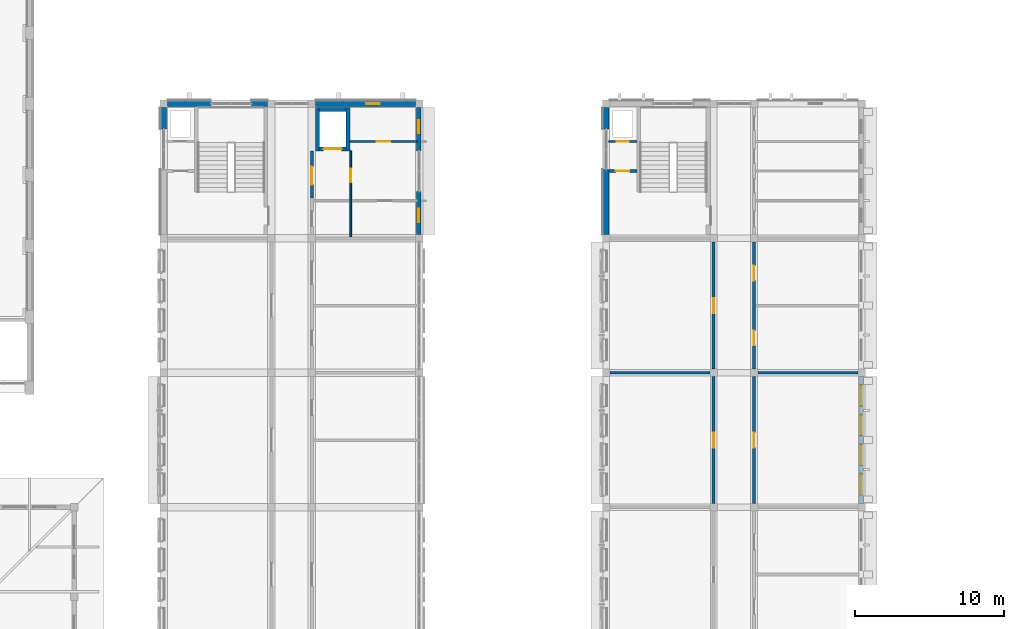
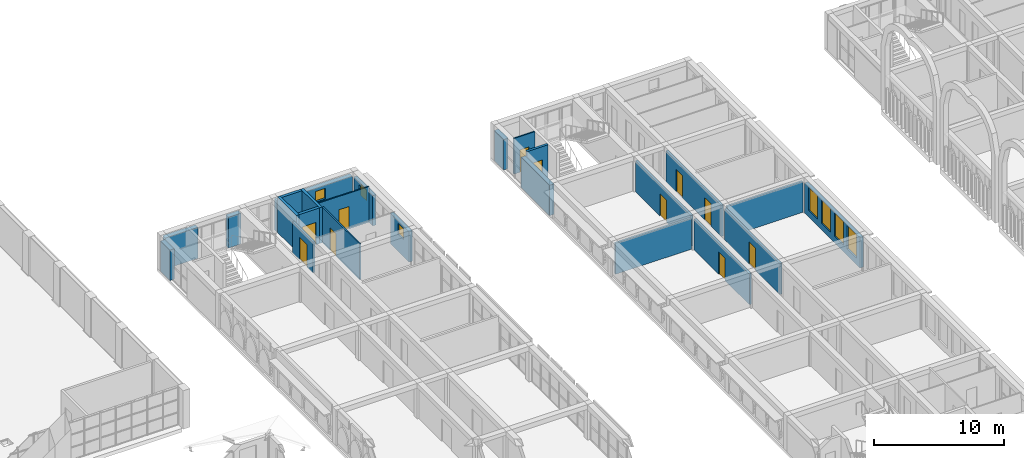
# One storey, part 50 of 82: 24 walls, 11 doors, 7 windows, 18 openings.
"""IFC4 building model written with IfcOpenShell, lengths in metres."""

from ifc_helpers import new_model, si_unit, direction, frame, frame_2d, origin, place, context, subcontext, project, spatial, rectangle, extrude, material, layer, layer_set, type_object, element, fill, save


model = new_model("IFC4")

# Units and contexts
model_context = context("Model", 3, precision=1e-05, world=origin(), true_north=direction((0.0, 1.0)))
body_context = subcontext(model_context, "Body", "Model", "MODEL_VIEW")
ifc_project = project(units=[si_unit("LENGTHUNIT", "METRE"), si_unit("AREAUNIT", "SQUARE_METRE"), si_unit("VOLUMEUNIT", "CUBIC_METRE"), si_unit("PLANEANGLEUNIT", "RADIAN"), si_unit("MASSUNIT", "GRAM", prefix="KILO")], contexts=[model_context])

# Site, building, storey
site_placement = place(None, origin())
site = spatial("IfcSite", under=ifc_project, at=site_placement, CompositionType="ELEMENT")
building_placement = place(site_placement, origin())
building = spatial("IfcBuilding", under=site, at=building_placement, Name="Elbe Cascade School", CompositionType="ELEMENT")
storey_placement = place(building_placement, frame((0.0, 0.0, 4.5)))
storey = spatial("IfcBuildingStorey", under=building, at=storey_placement, Name="L01", CompositionType="ELEMENT", Elevation=4.5)

# Walls
ifc_material_1 = material(Name="Masonry - lime-sand block, plastered", Category="masonry")
ifc_layer_1 = layer(ifc_material_1, 0.175048828125)
ifc_layer_set_1 = layer_set([ifc_layer_1], Name="Masonry - lime-sand block, plastered")
wall_type_1 = type_object("IfcWallType", Name="Bar classroom partition wall lime-sand block 175", PredefinedType="PARTITIONING", material=ifc_layer_set_1)
for number, where, z_axis, x_axis, name in (
    (1, (98.85009765625, 42.0, 0.0), (0.0, 0.0, 1.0), (1.0, 0.0, 0.0), "Bar classroom partition wall lime-sand block 175"),
    (2, (108.75, 42.0, 0.0), (0.0, 0.0, 1.0), (1.0, 0.0, 0.0), "Bar classroom partition wall lime-sand block 175"),
):
    element("IfcWall", number, at=place(storey_placement, frame(where, z_axis=z_axis, x_axis=x_axis)), inside=storey, type_object=wall_type_1, Name=name, PredefinedType="PARTITIONING", context=body_context, shape_type="SweptSolid", body=[
        extrude(rectangle(XDim=6.699951171875, YDim=0.175048828125, at=frame_2d((3.35009765625, 0.0))), origin(), (0.0, 0.0, 1.0), 2.89990234375),
    ])

# Wall, opening, door
ifc_material_2 = material(Name="Masonry - lime-sand block, plastered", Category="masonry")
ifc_layer_2 = layer(ifc_material_2, 0.199951171875)
ifc_layer_set_2 = layer_set([ifc_layer_2], Name="Masonry - lime-sand block, plastered")
wall_type_2 = type_object("IfcWallType", Name="Bar corridor wall lime-sand block 200 EI 30", PredefinedType="PARTITIONING", material=ifc_layer_set_2)
wall_1_placement = place(storey_placement, frame((78.89990234375, 56.85009765625, 0.0), z_axis=(0.0, 0.0, 1.0), x_axis=(0.0, -1.0, 0.0)))
wall_1 = element("IfcWall", 3, at=wall_1_placement, inside=storey, type_object=wall_type_2, Name="Bar corridor wall lime-sand block 200 EI 30", PredefinedType="PARTITIONING", context=body_context, shape_type="SweptSolid", body=[
    extrude(rectangle(XDim=3.150146484375, YDim=0.199951171875, at=frame_2d((1.5751953125, 0.0))), origin(), (0.0, 0.0, 1.0), 2.89990234375),
])
opening_1_placement = place(wall_1_placement, frame((1.050048828125, 0.0, 0.0)))
opening_1 = element("IfcOpeningElement", 4, at=opening_1_placement, cuts=wall_1, Name="Opening D1.023", PredefinedType="OPENING", context=body_context, shape_type="SweptSolid", body=[
    extrude(rectangle(XDim=1.199951171875, YDim=2.10009765625, at=frame_2d((0.60009765625, 1.050048828125))), frame((0.0, 0.10986328125, 0.0), z_axis=(0.0, -1.0, 0.0), x_axis=(1.0, 0.0, 0.0)), (0.0, 0.0, 1.0), 0.219970703125),
])
ifc_material_3 = material(Name="Timber door leaf, fire-resisting and smoke-tight, steel frame", Category="steel")
door_type_1 = type_object("IfcDoorType", Name="Bar door FD30S 1200x2100", OperationType="NOTDEFINED", PredefinedType="DOOR", material=ifc_material_3)
door_1_placement = place(opening_1_placement, origin())
door_1 = element("IfcDoor", 5, at=door_1_placement, inside=storey, type_object=door_type_1, Name="Door A1.15", OperationType="SINGLE_SWING_LEFT", OverallHeight=2.10009765625, OverallWidth=1.199951171875, PredefinedType="DOOR", context=body_context, shape_type="SweptSolid", body=[
    extrude(rectangle(XDim=1.199951171875, YDim=2.10009765625, at=frame_2d((0.60009765625, 1.050048828125))), frame((0.0, 0.02490234375, 0.0), z_axis=(0.0, -1.0, 0.0), x_axis=(1.0, 0.0, 0.0)), (0.0, 0.0, 1.0), 0.050048828125),
])
fill(opening_1, door_1)

wall_2_placement = place(storey_placement, frame((105.800048828125, 33.25, 0.0), z_axis=(0.0, 0.0, 1.0), x_axis=(0.0, 1.0, 0.0)))
wall_2 = element("IfcWall", 6, at=wall_2_placement, inside=storey, type_object=wall_type_2, Name="Bar corridor wall lime-sand block 200 EI 30", PredefinedType="PARTITIONING", context=body_context, shape_type="SweptSolid", body=[
    extrude(rectangle(XDim=8.5, YDim=0.199951171875, at=frame_2d((4.25, 0.0))), origin(), (0.0, 0.0, 1.0), 2.89990234375),
])
opening_2_placement = place(wall_2_placement, frame((3.75, 0.0, 0.0)))
opening_2 = element("IfcOpeningElement", 7, at=opening_2_placement, cuts=wall_2, Name="Opening D1.044", PredefinedType="OPENING", context=body_context, shape_type="SweptSolid", body=[
    extrude(rectangle(XDim=1.0, YDim=2.10009765625, at=frame_2d((0.5, 1.050048828125))), frame((0.0, 0.10986328125, 0.0), z_axis=(0.0, -1.0, 0.0), x_axis=(1.0, 0.0, 0.0)), (0.0, 0.0, 1.0), 0.219970703125),
])
ifc_material_4 = material(Name="Timber door leaf, fire-resisting, steel frame", Category="steel")
door_type_2 = type_object("IfcDoorType", Name="Bar door FD30 1000x2100", OperationType="NOTDEFINED", PredefinedType="DOOR", material=ifc_material_4)
door_2_placement = place(opening_2_placement, origin())
door_2 = element("IfcDoor", 8, at=door_2_placement, inside=storey, type_object=door_type_2, Name="Door B1.21", OperationType="SINGLE_SWING_RIGHT", OverallHeight=2.10009765625, OverallWidth=1.0, PredefinedType="DOOR", context=body_context, shape_type="SweptSolid", body=[
    extrude(rectangle(XDim=1.0, YDim=2.10009765625, at=frame_2d((0.5, 1.050048828125))), frame((0.0, 0.02490234375, 0.0), z_axis=(0.0, -1.0, 0.0), x_axis=(1.0, 0.0, 0.0)), (0.0, 0.0, 1.0), 0.050048828125),
])
fill(opening_2, door_2)

wall_3_placement = place(storey_placement, frame((105.800048828125, 42.25, 0.0), z_axis=(0.0, 0.0, 1.0), x_axis=(0.0, 1.0, 0.0)))
wall_3 = element("IfcWall", 9, at=wall_3_placement, inside=storey, type_object=wall_type_2, Name="Bar corridor wall lime-sand block 200 EI 30", PredefinedType="PARTITIONING", context=body_context, shape_type="SweptSolid", body=[
    extrude(rectangle(XDim=8.5, YDim=0.199951171875, at=frame_2d((4.25, 0.0))), origin(), (0.0, 0.0, 1.0), 2.89990234375),
])
opening_3_placement = place(wall_3_placement, frame((3.75, 0.0, 0.0)))
opening_3 = element("IfcOpeningElement", 10, at=opening_3_placement, cuts=wall_3, Name="Opening D1.047", PredefinedType="OPENING", context=body_context, shape_type="SweptSolid", body=[
    extrude(rectangle(XDim=1.0, YDim=2.10009765625, at=frame_2d((0.5, 1.050048828125))), frame((0.0, 0.10986328125, 0.0), z_axis=(0.0, -1.0, 0.0), x_axis=(1.0, 0.0, 0.0)), (0.0, 0.0, 1.0), 0.219970703125),
])
door_3_placement = place(opening_3_placement, origin())
door_3 = element("IfcDoor", 11, at=door_3_placement, inside=storey, type_object=door_type_2, Name="Door B1.22", OperationType="SINGLE_SWING_LEFT", OverallHeight=2.10009765625, OverallWidth=1.0, PredefinedType="DOOR", context=body_context, shape_type="SweptSolid", body=[
    extrude(rectangle(XDim=1.0, YDim=2.10009765625, at=frame_2d((0.5, 1.050048828125))), frame((0.0, 0.02490234375, 0.0), z_axis=(0.0, -1.0, 0.0), x_axis=(1.0, 0.0, 0.0)), (0.0, 0.0, 1.0), 0.050048828125),
])
fill(opening_3, door_3)

wall_4_placement = place(storey_placement, frame((108.5, 41.75, 0.0), z_axis=(0.0, 0.0, 1.0), x_axis=(0.0, -1.0, 0.0)))
wall_4 = element("IfcWall", 12, at=wall_4_placement, inside=storey, type_object=wall_type_2, Name="Bar corridor wall lime-sand block 200 EI 30", PredefinedType="PARTITIONING", context=body_context, shape_type="SweptSolid", body=[
    extrude(rectangle(XDim=8.5, YDim=0.199951171875, at=frame_2d((4.25, 0.0))), origin(), (0.0, 0.0, 1.0), 2.89990234375),
])
opening_4_placement = place(wall_4_placement, frame((3.75, 0.0, 0.0)))
opening_4 = element("IfcOpeningElement", 13, at=opening_4_placement, cuts=wall_4, Name="Opening D1.045", PredefinedType="OPENING", context=body_context, shape_type="SweptSolid", body=[
    extrude(rectangle(XDim=1.0, YDim=2.10009765625, at=frame_2d((0.5, 1.050048828125))), frame((0.0, 0.10986328125, 0.0), z_axis=(0.0, -1.0, 0.0), x_axis=(1.0, 0.0, 0.0)), (0.0, 0.0, 1.0), 0.219970703125),
])
door_4_placement = place(opening_4_placement, origin())
door_4 = element("IfcDoor", 14, at=door_4_placement, inside=storey, type_object=door_type_2, Name="Door B1.26", OperationType="SINGLE_SWING_LEFT", OverallHeight=2.10009765625, OverallWidth=1.0, PredefinedType="DOOR", context=body_context, shape_type="SweptSolid", body=[
    extrude(rectangle(XDim=1.0, YDim=2.10009765625, at=frame_2d((0.5, 1.050048828125))), frame((0.0, 0.02490234375, 0.0), z_axis=(0.0, -1.0, 0.0), x_axis=(1.0, 0.0, 0.0)), (0.0, 0.0, 1.0), 0.050048828125),
])
fill(opening_4, door_4)

# Wall, openings, doors
wall_5_placement = place(storey_placement, frame((108.5, 50.75, 0.0), z_axis=(0.0, 0.0, 1.0), x_axis=(0.0, -1.0, 0.0)))
wall_5 = element("IfcWall", 15, at=wall_5_placement, inside=storey, type_object=wall_type_2, Name="Bar corridor wall lime-sand block 200 EI 30", PredefinedType="PARTITIONING", context=body_context, shape_type="SweptSolid", body=[
    extrude(rectangle(XDim=8.5, YDim=0.199951171875, at=frame_2d((4.25, 0.0))), origin(), (0.0, 0.0, 1.0), 2.89990234375),
])
opening_5_placement = place(wall_5_placement, frame((5.918701171875, 0.0, 0.0)))
opening_5 = element("IfcOpeningElement", 16, at=opening_5_placement, cuts=wall_5, Name="Opening D1.046", PredefinedType="OPENING", context=body_context, shape_type="SweptSolid", body=[
    extrude(rectangle(XDim=1.0, YDim=2.10009765625, at=frame_2d((0.5, 1.050048828125))), frame((0.0, 0.10986328125, 0.0), z_axis=(0.0, -1.0, 0.0), x_axis=(1.0, 0.0, 0.0)), (0.0, 0.0, 1.0), 0.219970703125),
])
opening_6_placement = place(wall_5_placement, frame((1.581298828125, 0.0, 0.0)))
opening_6 = element("IfcOpeningElement", 17, at=opening_6_placement, cuts=wall_5, Name="Opening D1.048", PredefinedType="OPENING", context=body_context, shape_type="SweptSolid", body=[
    extrude(rectangle(XDim=1.0, YDim=2.10009765625, at=frame_2d((0.5, 1.050048828125))), frame((0.0, 0.10986328125, 0.0), z_axis=(0.0, -1.0, 0.0), x_axis=(1.0, 0.0, 0.0)), (0.0, 0.0, 1.0), 0.219970703125),
])
door_5_placement = place(opening_5_placement, origin())
door_5 = element("IfcDoor", 18, at=door_5_placement, inside=storey, type_object=door_type_2, Name="Door B1.27", OperationType="SINGLE_SWING_RIGHT", OverallHeight=2.10009765625, OverallWidth=1.0, PredefinedType="DOOR", context=body_context, shape_type="SweptSolid", body=[
    extrude(rectangle(XDim=1.0, YDim=2.10009765625, at=frame_2d((0.5, 1.050048828125))), frame((0.0, 0.02490234375, 0.0), z_axis=(0.0, -1.0, 0.0), x_axis=(1.0, 0.0, 0.0)), (0.0, 0.0, 1.0), 0.050048828125),
])
fill(opening_5, door_5)
door_6_placement = place(opening_6_placement, origin())
door_6 = element("IfcDoor", 19, at=door_6_placement, inside=storey, type_object=door_type_2, Name="Door B1.28", OperationType="SINGLE_SWING_LEFT", OverallHeight=2.10009765625, OverallWidth=1.0, PredefinedType="DOOR", context=body_context, shape_type="SweptSolid", body=[
    extrude(rectangle(XDim=1.0, YDim=2.10009765625, at=frame_2d((0.5, 1.050048828125))), frame((0.0, 0.02490234375, 0.0), z_axis=(0.0, -1.0, 0.0), x_axis=(1.0, 0.0, 0.0)), (0.0, 0.0, 1.0), 0.050048828125),
])
fill(opening_6, door_6)

# Wall, opening, door
ifc_material_5 = material(Name="Masonry - lime-sand block, plastered", Category="masonry")
ifc_layer_3 = layer(ifc_material_5, 0.114990234375)
ifc_layer_set_3 = layer_set([ifc_layer_3], Name="Masonry - lime-sand block, plastered")
wall_type_3 = type_object("IfcWallType", Name="Bar light partition wall lime-sand block 115", PredefinedType="PARTITIONING", material=ifc_layer_set_3)
wall_6_placement = place(storey_placement, frame((81.507568359375, 56.85009765625, 0.0), z_axis=(0.0, 0.0, 1.0), x_axis=(0.0, -1.0, 0.0)))
wall_6 = element("IfcWall", 20, at=wall_6_placement, inside=storey, type_object=wall_type_3, Name="Bar light partition wall lime-sand block 115", PredefinedType="PARTITIONING", context=body_context, shape_type="SweptSolid", body=[
    extrude(rectangle(XDim=5.75, YDim=0.114990234375, at=frame_2d((2.875, 0.0))), origin(), (0.0, 0.0, 1.0), 3.35009765625),
])
opening_7_placement = place(wall_6_placement, frame((1.199951171875, 0.0, 0.0)))
opening_7 = element("IfcOpeningElement", 21, at=opening_7_placement, cuts=wall_6, Name="Opening D1.024", PredefinedType="OPENING", context=body_context, shape_type="SweptSolid", body=[
    extrude(rectangle(XDim=0.89990234375, YDim=2.10009765625, at=frame_2d((0.449951171875, 1.050048828125))), frame((0.0, 0.0673828125, 0.0), z_axis=(0.0, -1.0, 0.0), x_axis=(1.0, 0.0, 0.0)), (0.0, 0.0, 1.0), 0.135009765625),
])
ifc_material_6 = material(Name="Timber door leaf, steel frame", Category="steel")
door_type_3 = type_object("IfcDoorType", Name="Bar door 900x2100", OperationType="NOTDEFINED", PredefinedType="DOOR", material=ifc_material_6)
door_7_placement = place(opening_7_placement, origin())
door_7 = element("IfcDoor", 22, at=door_7_placement, inside=storey, type_object=door_type_3, Name="Door A1.16", OperationType="SINGLE_SWING_LEFT", OverallHeight=2.10009765625, OverallWidth=0.89990234375, PredefinedType="DOOR", context=body_context, shape_type="SweptSolid", body=[
    extrude(rectangle(XDim=0.89990234375, YDim=2.10009765625, at=frame_2d((0.449951171875, 1.050048828125))), frame((0.0, 0.02490234375, 0.0), z_axis=(0.0, -1.0, 0.0), x_axis=(1.0, 0.0, 0.0)), (0.0, 0.0, 1.0), 0.050048828125),
])
fill(opening_7, door_7)

wall_7_placement = place(storey_placement, frame((81.449951171875, 57.47998046875, 0.0), z_axis=(0.0, 0.0, 1.0), x_axis=(1.0, 0.0, 0.0)))
wall_7 = element("IfcWall", 23, at=wall_7_placement, inside=storey, type_object=wall_type_3, Name="Bar light partition wall lime-sand block 115", PredefinedType="PARTITIONING", context=body_context, shape_type="SweptSolid", body=[
    extrude(rectangle(XDim=4.5, YDim=0.114990234375, at=frame_2d((2.25, 0.0))), origin(), (0.0, 0.0, 1.0), 3.35009765625),
])
opening_8_placement = place(wall_7_placement, frame((1.800048828125, 0.0, 0.0)))
opening_8 = element("IfcOpeningElement", 24, at=opening_8_placement, cuts=wall_7, Name="Opening D1.028", PredefinedType="OPENING", context=body_context, shape_type="SweptSolid", body=[
    extrude(rectangle(XDim=0.89990234375, YDim=2.10009765625, at=frame_2d((0.449951171875, 1.050048828125))), frame((0.0, 0.0673828125, 0.0), z_axis=(0.0, -1.0, 0.0), x_axis=(1.0, 0.0, 0.0)), (0.0, 0.0, 1.0), 0.135009765625),
])
door_8_placement = place(opening_8_placement, origin())
door_8 = element("IfcDoor", 25, at=door_8_placement, inside=storey, type_object=door_type_3, Name="Door A1.17", OperationType="SINGLE_SWING_LEFT", OverallHeight=2.10009765625, OverallWidth=0.89990234375, PredefinedType="DOOR", context=body_context, shape_type="SweptSolid", body=[
    extrude(rectangle(XDim=0.89990234375, YDim=2.10009765625, at=frame_2d((0.449951171875, 1.050048828125))), frame((0.0, 0.02490234375, 0.0), z_axis=(0.0, -1.0, 0.0), x_axis=(1.0, 0.0, 0.0)), (0.0, 0.0, 1.0), 0.050048828125),
])
fill(opening_8, door_8)

wall_8_placement = place(storey_placement, frame((98.780029296875, 57.47998046875, 0.0), z_axis=(0.0, 0.0, 1.0), x_axis=(1.0, 0.0, 0.0)))
wall_8 = element("IfcWall", 26, at=wall_8_placement, inside=storey, type_object=wall_type_3, Name="Bar light partition wall lime-sand block 115", PredefinedType="PARTITIONING", context=body_context, shape_type="SweptSolid", body=[
    extrude(rectangle(XDim=1.869873046875, YDim=0.114990234375, at=frame_2d((0.93505859375, 0.0))), origin(), (0.0, 0.0, 1.0), 3.35009765625),
])
opening_9_placement = place(wall_8_placement, frame((0.52001953125, 0.0, 0.0)))
opening_9 = element("IfcOpeningElement", 27, at=opening_9_placement, cuts=wall_8, Name="Opening D1.054", PredefinedType="OPENING", context=body_context, shape_type="SweptSolid", body=[
    extrude(rectangle(XDim=0.800048828125, YDim=2.10009765625, at=frame_2d((0.39990234375, 1.050048828125))), frame((0.0, 0.0673828125, 0.0), z_axis=(0.0, -1.0, 0.0), x_axis=(1.0, 0.0, 0.0)), (0.0, 0.0, 1.0), 0.135009765625),
])
ifc_material_7 = material(Name="Timber door leaf, steel frame", Category="steel")
door_type_4 = type_object("IfcDoorType", Name="Bar door 800x2100", OperationType="NOTDEFINED", PredefinedType="DOOR", material=ifc_material_7)
door_9_placement = place(opening_9_placement, origin())
door_9 = element("IfcDoor", 28, at=door_9_placement, inside=storey, type_object=door_type_4, Name="Door B1.14", OperationType="SINGLE_SWING_LEFT", OverallHeight=2.10009765625, OverallWidth=0.800048828125, PredefinedType="DOOR", context=body_context, shape_type="SweptSolid", body=[
    extrude(rectangle(XDim=0.800048828125, YDim=2.10009765625, at=frame_2d((0.39990234375, 1.050048828125))), frame((0.0, 0.02490234375, 0.0), z_axis=(0.0, -1.0, 0.0), x_axis=(1.0, 0.0, 0.0)), (0.0, 0.0, 1.0), 0.050048828125),
])
fill(opening_9, door_9)

ifc_material_8 = material(Name="Concrete C30/37", Category="concrete")
ifc_layer_4 = layer(ifc_material_8, 0.199951171875)
ifc_layer_set_4 = layer_set([ifc_layer_4], Name="Concrete C30/37")
wall_type_4 = type_object("IfcWallType", Name="Bar stair lobby wall RC 200", PredefinedType="SOLIDWALL", material=ifc_layer_set_4)
wall_9_placement = place(storey_placement, frame((98.780029296875, 55.5, 0.0), z_axis=(0.0, 0.0, 1.0), x_axis=(1.0, 0.0, 0.0)))
wall_9 = element("IfcWall", 29, at=wall_9_placement, inside=storey, type_object=wall_type_4, Name="Bar stair lobby wall RC 200", PredefinedType="SOLIDWALL", context=body_context, shape_type="SweptSolid", body=[
    extrude(rectangle(XDim=1.869873046875, YDim=0.199951171875, at=frame_2d((0.93505859375, 0.0))), origin(), (0.0, 0.0, 1.0), 3.35009765625),
])
opening_10_placement = place(wall_9_placement, frame((0.469970703125, 0.0, 0.0)))
opening_10 = element("IfcOpeningElement", 30, at=opening_10_placement, cuts=wall_9, Name="Opening D1.052", PredefinedType="OPENING", context=body_context, shape_type="SweptSolid", body=[
    extrude(rectangle(XDim=0.89990234375, YDim=2.10009765625, at=frame_2d((0.449951171875, 1.050048828125))), frame((0.0, 0.10986328125, 0.0), z_axis=(0.0, -1.0, 0.0), x_axis=(1.0, 0.0, 0.0)), (0.0, 0.0, 1.0), 0.219970703125),
])
ifc_material_9 = material(Name="Timber door leaf, fire-resisting and smoke-tight, steel frame", Category="steel")
door_type_5 = type_object("IfcDoorType", Name="Bar door FD30S 900x2100", OperationType="NOTDEFINED", PredefinedType="DOOR", material=ifc_material_9)
door_10_placement = place(opening_10_placement, origin())
door_10 = element("IfcDoor", 31, at=door_10_placement, inside=storey, type_object=door_type_5, Name="Door B1.13", OperationType="SINGLE_SWING_RIGHT", OverallHeight=2.10009765625, OverallWidth=0.89990234375, PredefinedType="DOOR", context=body_context, shape_type="SweptSolid", body=[
    extrude(rectangle(XDim=0.89990234375, YDim=2.10009765625, at=frame_2d((0.449951171875, 1.050048828125))), frame((0.0, 0.02490234375, 0.0), z_axis=(0.0, -1.0, 0.0), x_axis=(1.0, 0.0, 0.0)), (0.0, 0.0, 1.0), 0.050048828125),
])
fill(opening_10, door_10)

# Wall, opening, window
ifc_material_10 = material(Name="Brick masonry - red clinker, cavity wall with render backing", Category="masonry")
ifc_layer_5 = layer(ifc_material_10, 0.300048828125)
ifc_layer_set_5 = layer_set([ifc_layer_5], Name="Brick masonry - red clinker, cavity wall with render backing")
wall_type_5 = type_object("IfcWallType", Name="Bars envelope External wall - clinker brick cavity, 300 upper floors", PredefinedType="STANDARD", material=ifc_layer_set_5)
wall_10_placement = place(storey_placement, frame((86.070068359375, 54.14990234375, 0.0), z_axis=(0.0, 0.0, 1.0), x_axis=(0.0, -1.0, 0.0)))
wall_10 = element("IfcWall", 32, at=wall_10_placement, inside=storey, type_object=wall_type_5, Name="External wall W30 A.L01.e6a", PredefinedType="STANDARD", context=body_context, shape_type="SweptSolid", body=[
    extrude(rectangle(XDim=2.89990234375, YDim=0.300048828125, at=frame_2d((1.449951171875, 0.0))), origin(), (0.0, 0.0, 1.0), 2.85009765625),
])
opening_11_placement = place(wall_10_placement, frame((1.169921875, 0.0, 1.60009765625)))
opening_11 = element("IfcOpeningElement", 33, at=opening_11_placement, cuts=wall_10, Name="Opening W1.020", PredefinedType="OPENING", context=body_context, shape_type="SweptSolid", body=[
    extrude(rectangle(XDim=0.89990234375, YDim=1.0, at=frame_2d((0.449951171875, 0.5))), frame((0.0, 0.159912109375, 0.0), z_axis=(0.0, -1.0, 0.0), x_axis=(1.0, 0.0, 0.0)), (0.0, 0.0, 1.0), 0.320068359375),
])
ifc_material_11 = material(Name="Aluminium frame with double glazing, bronze anodised", Category="aluminium")
window_type_1 = type_object("IfcWindowType", Name="Bars envelope Window 900 x 1000, WC and service room, high level, aluminium double glazed", PartitioningType="SINGLE_PANEL", PredefinedType="WINDOW", material=ifc_material_11)
window_1_placement = place(opening_11_placement, origin())
window_1 = element("IfcWindow", 34, at=window_1_placement, inside=storey, type_object=window_type_1, Name="Window WN4 A.L01.e6a.1", OverallHeight=1.0, OverallWidth=0.89990234375, PartitioningType="SINGLE_PANEL", PredefinedType="WINDOW", context=body_context, shape_type="SweptSolid", body=[
    extrude(rectangle(XDim=0.89990234375, YDim=1.0, at=frame_2d((0.449951171875, 0.5))), frame((0.0, 0.030029296875, 0.0), z_axis=(0.0, -1.0, 0.0), x_axis=(1.0, 0.0, 0.0)), (0.0, 0.0, 1.0), 0.06005859375),
])
fill(opening_11, window_1)

wall_11_placement = place(storey_placement, frame((86.070068359375, 59.75, 0.0), z_axis=(0.0, 0.0, 1.0), x_axis=(0.0, -1.0, 0.0)))
wall_11 = element("IfcWall", 35, at=wall_11_placement, inside=storey, type_object=wall_type_5, Name="External wall W30 A.L01.e6b", PredefinedType="STANDARD", context=body_context, shape_type="SweptSolid", body=[
    extrude(rectangle(XDim=2.89990234375, YDim=0.300048828125, at=frame_2d((1.449951171875, 0.0))), origin(), (0.0, 0.0, 1.0), 2.85009765625),
])
opening_12_placement = place(wall_11_placement, frame((0.830078125, 0.0, 1.60009765625)))
opening_12 = element("IfcOpeningElement", 36, at=opening_12_placement, cuts=wall_11, Name="Opening W1.021", PredefinedType="OPENING", context=body_context, shape_type="SweptSolid", body=[
    extrude(rectangle(XDim=0.89990234375, YDim=1.0, at=frame_2d((0.449951171875, 0.5))), frame((0.0, 0.159912109375, 0.0), z_axis=(0.0, -1.0, 0.0), x_axis=(1.0, 0.0, 0.0)), (0.0, 0.0, 1.0), 0.320068359375),
])
window_2_placement = place(opening_12_placement, origin())
window_2 = element("IfcWindow", 37, at=window_2_placement, inside=storey, type_object=window_type_1, Name="Window WN4 A.L01.e6b.1", OverallHeight=1.0, OverallWidth=0.89990234375, PartitioningType="SINGLE_PANEL", PredefinedType="WINDOW", context=body_context, shape_type="SweptSolid", body=[
    extrude(rectangle(XDim=0.89990234375, YDim=1.0, at=frame_2d((0.449951171875, 0.5))), frame((0.0, 0.030029296875, 0.0), z_axis=(0.0, -1.0, 0.0), x_axis=(1.0, 0.0, 0.0)), (0.0, 0.0, 1.0), 0.06005859375),
])
fill(opening_12, window_2)

# Wall, openings, windows
wall_12_placement = place(storey_placement, frame((115.669921875, 41.75, 0.0), z_axis=(0.0, 0.0, 1.0), x_axis=(0.0, -1.0, 0.0)))
wall_12 = element("IfcWall", 38, at=wall_12_placement, inside=storey, type_object=wall_type_5, Name="External wall W30 B.L01.e4", PredefinedType="STANDARD", context=body_context, shape_type="SweptSolid", body=[
    extrude(rectangle(XDim=8.5, YDim=0.300048828125, at=frame_2d((4.25, 0.0))), origin(), (0.0, 0.0, 1.0), 2.85009765625),
])
opening_13_placement = place(wall_12_placement, frame((6.52001953125, 0.0, 0.60009765625)))
opening_13 = element("IfcOpeningElement", 39, at=opening_13_placement, cuts=wall_12, Name="Opening W1.043", PredefinedType="OPENING", context=body_context, shape_type="SweptSolid", body=[
    extrude(rectangle(XDim=1.39990234375, YDim=2.199951171875, at=frame_2d((0.699951171875, 1.10009765625))), frame((0.0, 0.159912109375, 0.0), z_axis=(0.0, -1.0, 0.0), x_axis=(1.0, 0.0, 0.0)), (0.0, 0.0, 1.0), 0.320068359375),
])
opening_14_placement = place(wall_12_placement, frame((4.5400390625, 0.0, 0.60009765625)))
opening_14 = element("IfcOpeningElement", 40, at=opening_14_placement, cuts=wall_12, Name="Opening W1.045", PredefinedType="OPENING", context=body_context, shape_type="SweptSolid", body=[
    extrude(rectangle(XDim=1.39990234375, YDim=2.199951171875, at=frame_2d((0.699951171875, 1.10009765625))), frame((0.0, 0.159912109375, 0.0), z_axis=(0.0, -1.0, 0.0), x_axis=(1.0, 0.0, 0.0)), (0.0, 0.0, 1.0), 0.320068359375),
])
opening_15_placement = place(wall_12_placement, frame((2.56005859375, 0.0, 0.60009765625)))
opening_15 = element("IfcOpeningElement", 41, at=opening_15_placement, cuts=wall_12, Name="Opening W1.047", PredefinedType="OPENING", context=body_context, shape_type="SweptSolid", body=[
    extrude(rectangle(XDim=1.39990234375, YDim=2.199951171875, at=frame_2d((0.699951171875, 1.10009765625))), frame((0.0, 0.159912109375, 0.0), z_axis=(0.0, -1.0, 0.0), x_axis=(1.0, 0.0, 0.0)), (0.0, 0.0, 1.0), 0.320068359375),
])
opening_16_placement = place(wall_12_placement, frame((0.580078125, 0.0, 0.60009765625)))
opening_16 = element("IfcOpeningElement", 42, at=opening_16_placement, cuts=wall_12, Name="Opening W1.049", PredefinedType="OPENING", context=body_context, shape_type="SweptSolid", body=[
    extrude(rectangle(XDim=1.39990234375, YDim=2.199951171875, at=frame_2d((0.699951171875, 1.10009765625))), frame((0.0, 0.159912109375, 0.0), z_axis=(0.0, -1.0, 0.0), x_axis=(1.0, 0.0, 0.0)), (0.0, 0.0, 1.0), 0.320068359375),
])
ifc_material_12 = material(Name="Aluminium frame with double glazing, bronze anodised", Category="aluminium")
window_type_2 = type_object("IfcWindowType", Name="Bars envelope Window 1400 x 2200, classroom, aluminium double glazed", PartitioningType="DOUBLE_PANEL_VERTICAL", PredefinedType="WINDOW", material=ifc_material_12)
window_3_placement = place(opening_13_placement, origin())
window_3 = element("IfcWindow", 43, at=window_3_placement, inside=storey, type_object=window_type_2, Name="Window WN7 B.L01.e4.1", OverallHeight=2.199951171875, OverallWidth=1.39990234375, PartitioningType="DOUBLE_PANEL_VERTICAL", PredefinedType="WINDOW", context=body_context, shape_type="SweptSolid", body=[
    extrude(rectangle(XDim=1.39990234375, YDim=2.199951171875, at=frame_2d((0.699951171875, 1.10009765625))), frame((0.0, 0.030029296875, 0.0), z_axis=(0.0, -1.0, 0.0), x_axis=(1.0, 0.0, 0.0)), (0.0, 0.0, 1.0), 0.06005859375),
])
fill(opening_13, window_3)
window_4_placement = place(opening_14_placement, origin())
window_4 = element("IfcWindow", 44, at=window_4_placement, inside=storey, type_object=window_type_2, Name="Window WN7 B.L01.e4.2", OverallHeight=2.199951171875, OverallWidth=1.39990234375, PartitioningType="DOUBLE_PANEL_VERTICAL", PredefinedType="WINDOW", context=body_context, shape_type="SweptSolid", body=[
    extrude(rectangle(XDim=1.39990234375, YDim=2.199951171875, at=frame_2d((0.699951171875, 1.10009765625))), frame((0.0, 0.030029296875, 0.0), z_axis=(0.0, -1.0, 0.0), x_axis=(1.0, 0.0, 0.0)), (0.0, 0.0, 1.0), 0.06005859375),
])
fill(opening_14, window_4)
window_5_placement = place(opening_15_placement, origin())
window_5 = element("IfcWindow", 45, at=window_5_placement, inside=storey, type_object=window_type_2, Name="Window WN7 B.L01.e4.3", OverallHeight=2.199951171875, OverallWidth=1.39990234375, PartitioningType="DOUBLE_PANEL_VERTICAL", PredefinedType="WINDOW", context=body_context, shape_type="SweptSolid", body=[
    extrude(rectangle(XDim=1.39990234375, YDim=2.199951171875, at=frame_2d((0.699951171875, 1.10009765625))), frame((0.0, 0.030029296875, 0.0), z_axis=(0.0, -1.0, 0.0), x_axis=(1.0, 0.0, 0.0)), (0.0, 0.0, 1.0), 0.06005859375),
])
fill(opening_15, window_5)
window_6_placement = place(opening_16_placement, origin())
window_6 = element("IfcWindow", 46, at=window_6_placement, inside=storey, type_object=window_type_2, Name="Window WN7 B.L01.e4.4", OverallHeight=2.199951171875, OverallWidth=1.39990234375, PartitioningType="DOUBLE_PANEL_VERTICAL", PredefinedType="WINDOW", context=body_context, shape_type="SweptSolid", body=[
    extrude(rectangle(XDim=1.39990234375, YDim=2.199951171875, at=frame_2d((0.699951171875, 1.10009765625))), frame((0.0, 0.030029296875, 0.0), z_axis=(0.0, -1.0, 0.0), x_axis=(1.0, 0.0, 0.0)), (0.0, 0.0, 1.0), 0.06005859375),
])
fill(opening_16, window_6)

# Walls
ifc_material_13 = material(Name="Brick masonry - red clinker, solid, sandstone-faced", Category="masonry")
ifc_layer_6 = layer(ifc_material_13, 0.39990234375)
ifc_layer_set_6 = layer_set([ifc_layer_6], Name="Brick masonry - red clinker, solid, sandstone-faced")
wall_type_6 = type_object("IfcWallType", Name="Bars envelope External wall - solid masonry core strip, sandstone faced, 400", PredefinedType="STANDARD", material=ifc_layer_set_6)
wall_13_placement = place(storey_placement, frame((68.97998046875, 58.31005859375, 0.0), z_axis=(0.0, 0.0, 1.0), x_axis=(0.0, 1.0, 0.0)))
element("IfcWall", 47, at=wall_13_placement, inside=storey, type_object=wall_type_6, Name="External wall W31 A.L01.w6b", PredefinedType="STANDARD", context=body_context, shape_type="SweptSolid", body=[
    extrude(rectangle(XDim=1.43994140625, YDim=0.39990234375, at=frame_2d((0.719970703125, 0.0))), origin(), (0.0, 0.0, 1.0), 2.85009765625),
])
wall_14_placement = place(storey_placement, frame((69.25, 60.02001953125, 0.0), z_axis=(0.0, 0.0, 1.0), x_axis=(1.0, 0.0, 0.0)))
element("IfcWall", 48, at=wall_14_placement, inside=storey, type_object=wall_type_6, Name="External wall W31 A.L01.n1a", PredefinedType="STANDARD", context=body_context, shape_type="SweptSolid", body=[
    extrude(rectangle(XDim=2.89990234375, YDim=0.39990234375, at=frame_2d((1.449951171875, 0.0))), origin(), (0.0, 0.0, 1.0), 2.89990234375),
])
wall_15_placement = place(storey_placement, frame((74.85009765625, 60.02001953125, 0.0), z_axis=(0.0, 0.0, 1.0), x_axis=(1.0, 0.0, 0.0)))
element("IfcWall", 49, at=wall_15_placement, inside=storey, type_object=wall_type_6, Name="External wall W31 A.L01.n1b", PredefinedType="STANDARD", context=body_context, shape_type="SweptSolid", body=[
    extrude(rectangle(XDim=1.099853515625, YDim=0.39990234375, at=frame_2d((0.5498046875, 0.0))), origin(), (0.0, 0.0, 1.0), 2.89990234375),
])

# Wall, opening, window
wall_16_placement = place(storey_placement, frame((79.14990234375, 60.02001953125, 0.0), z_axis=(0.0, 0.0, 1.0), x_axis=(1.0, 0.0, 0.0)))
wall_16 = element("IfcWall", 50, at=wall_16_placement, inside=storey, type_object=wall_type_6, Name="External wall W31 A.L01.n3", PredefinedType="STANDARD", context=body_context, shape_type="SweptSolid", body=[
    extrude(rectangle(XDim=6.7001953125, YDim=0.39990234375, at=frame_2d((3.35009765625, 0.0))), origin(), (0.0, 0.0, 1.0), 2.89990234375),
])
opening_17_placement = place(wall_16_placement, frame((3.39990234375, 0.0, 1.60009765625)))
opening_17 = element("IfcOpeningElement", 51, at=opening_17_placement, cuts=wall_16, Name="Opening W1.022", PredefinedType="OPENING", context=body_context, shape_type="SweptSolid", body=[
    extrude(rectangle(XDim=0.89990234375, YDim=1.0, at=frame_2d((0.449951171875, 0.5))), frame((0.0, 0.2099609375, 0.0), z_axis=(0.0, -1.0, 0.0), x_axis=(1.0, 0.0, 0.0)), (0.0, 0.0, 1.0), 0.419921875),
])
window_7_placement = place(opening_17_placement, origin())
window_7 = element("IfcWindow", 52, at=window_7_placement, inside=storey, type_object=window_type_1, Name="Window WN4 A.L01.n3.1", OverallHeight=1.0, OverallWidth=0.89990234375, PartitioningType="SINGLE_PANEL", PredefinedType="WINDOW", context=body_context, shape_type="SweptSolid", body=[
    extrude(rectangle(XDim=0.89990234375, YDim=1.0, at=frame_2d((0.449951171875, 0.5))), frame((0.0, 0.030029296875, 0.0), z_axis=(0.0, -1.0, 0.0), x_axis=(1.0, 0.0, 0.0)), (0.0, 0.0, 1.0), 0.06005859375),
])
fill(opening_17, window_7)

# Walls
wall_17_placement = place(storey_placement, frame((98.580078125, 51.25, 0.0), z_axis=(0.0, 0.0, 1.0), x_axis=(0.0, 1.0, 0.0)))
element("IfcWall", 53, at=wall_17_placement, inside=storey, type_object=wall_type_6, Name="External wall W31 B.L01.w6a", PredefinedType="STANDARD", context=body_context, shape_type="SweptSolid", body=[
    extrude(rectangle(XDim=4.360107421875, YDim=0.39990234375, at=frame_2d((2.18017578125, 0.0))), origin(), (0.0, 0.0, 1.0), 2.85009765625),
])
wall_18_placement = place(storey_placement, frame((98.580078125, 58.31005859375, 0.0), z_axis=(0.0, 0.0, 1.0), x_axis=(0.0, 1.0, 0.0)))
element("IfcWall", 54, at=wall_18_placement, inside=storey, type_object=wall_type_6, Name="External wall W31 B.L01.w6b", PredefinedType="STANDARD", context=body_context, shape_type="SweptSolid", body=[
    extrude(rectangle(XDim=1.43994140625, YDim=0.39990234375, at=frame_2d((0.719970703125, 0.0))), origin(), (0.0, 0.0, 1.0), 2.85009765625),
])
ifc_material_14 = material(Name="Concrete C30/37", Category="concrete")
ifc_layer_7 = layer(ifc_material_14, 0.25)
ifc_layer_set_7 = layer_set([ifc_layer_7], Name="Concrete C30/37")
wall_type_7 = type_object("IfcWallType", Name="Shaft wall 250", PredefinedType="SHEAR", material=ifc_layer_set_7)
for number, where, z_axis, x_axis, name in (
    (55, (79.27490234375, 56.85009765625, 0.0), (0.0, 0.0, 1.0), (0.0, 1.0, 0.0), "Shaft wall 250 W1"),
    (56, (81.324951171875, 56.85009765625, 0.0), (0.0, 0.0, 1.0), (0.0, 1.0, 0.0), "Shaft wall 250 W1"),
):
    element("IfcWall", number, at=place(storey_placement, frame(where, z_axis=z_axis, x_axis=x_axis)), inside=storey, type_object=wall_type_7, Name=name, PredefinedType="SHEAR", context=body_context, shape_type="SweptSolid", body=[
        extrude(rectangle(XDim=2.89990234375, YDim=0.25, at=frame_2d((1.449951171875, 0.0))), origin(), (0.0, 0.0, 1.0), 3.35009765625),
    ])

# Wall, opening, door
wall_19_placement = place(storey_placement, frame((79.39990234375, 56.97509765625, 0.0), z_axis=(0.0, 0.0, 1.0), x_axis=(1.0, 0.0, 0.0)))
wall_19 = element("IfcWall", 57, at=wall_19_placement, inside=storey, type_object=wall_type_7, Name="Shaft wall 250 W1", PredefinedType="SHEAR", context=body_context, shape_type="SweptSolid", body=[
    extrude(rectangle(XDim=1.800048828125, YDim=0.25, at=frame_2d((0.89990234375, 0.0))), origin(), (0.0, 0.0, 1.0), 3.35009765625),
])
opening_18_placement = place(wall_19_placement, frame((0.300048828125, 0.0, 0.0)))
opening_18 = element("IfcOpeningElement", 58, at=opening_18_placement, cuts=wall_19, Name="Opening D1.026", PredefinedType="OPENING", context=body_context, shape_type="SweptSolid", body=[
    extrude(rectangle(XDim=1.199951171875, YDim=2.10009765625, at=frame_2d((0.60009765625, 1.050048828125))), frame((0.0, 0.135009765625, 0.0), z_axis=(0.0, -1.0, 0.0), x_axis=(1.0, 0.0, 0.0)), (0.0, 0.0, 1.0), 0.27001953125),
])
ifc_material_15 = material(Name="Stainless steel sliding door leaf", Category="steel")
door_type_6 = type_object("IfcDoorType", Name="Bar lift landing door 1200x2100", OperationType="SLIDING_TO_LEFT", PredefinedType="DOOR", material=ifc_material_15)
door_11_placement = place(opening_18_placement, origin())
door_11 = element("IfcDoor", 59, at=door_11_placement, inside=storey, type_object=door_type_6, Name="Lift landing door LDA1.2", OperationType="SLIDING_TO_LEFT", OverallHeight=2.10009765625, OverallWidth=1.199951171875, PredefinedType="DOOR", context=body_context, shape_type="SweptSolid", body=[
    extrude(rectangle(XDim=1.199951171875, YDim=2.10009765625, at=frame_2d((0.60009765625, 1.050048828125))), frame((0.0, 0.02490234375, 0.0), z_axis=(0.0, -1.0, 0.0), x_axis=(1.0, 0.0, 0.0)), (0.0, 0.0, 1.0), 0.050048828125),
])
fill(opening_18, door_11)

# Wall
wall_20_placement = place(storey_placement, frame((79.39990234375, 59.625, 0.0), z_axis=(0.0, 0.0, 1.0), x_axis=(1.0, 0.0, 0.0)))
element("IfcWall", 60, at=wall_20_placement, inside=storey, type_object=wall_type_7, Name="Shaft wall 250 W1", PredefinedType="SHEAR", context=body_context, shape_type="SweptSolid", body=[
    extrude(rectangle(XDim=1.800048828125, YDim=0.25, at=frame_2d((0.89990234375, 0.0))), origin(), (0.0, 0.0, 1.0), 3.35009765625),
])

save(model, "model.ifc")
